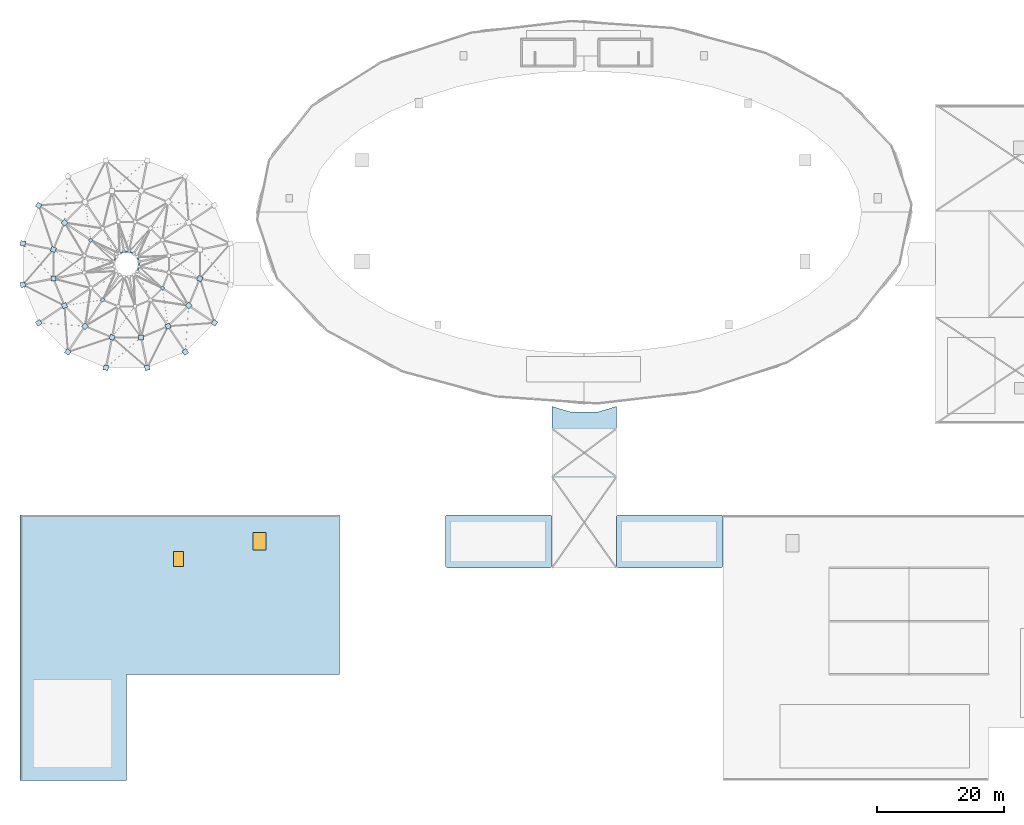
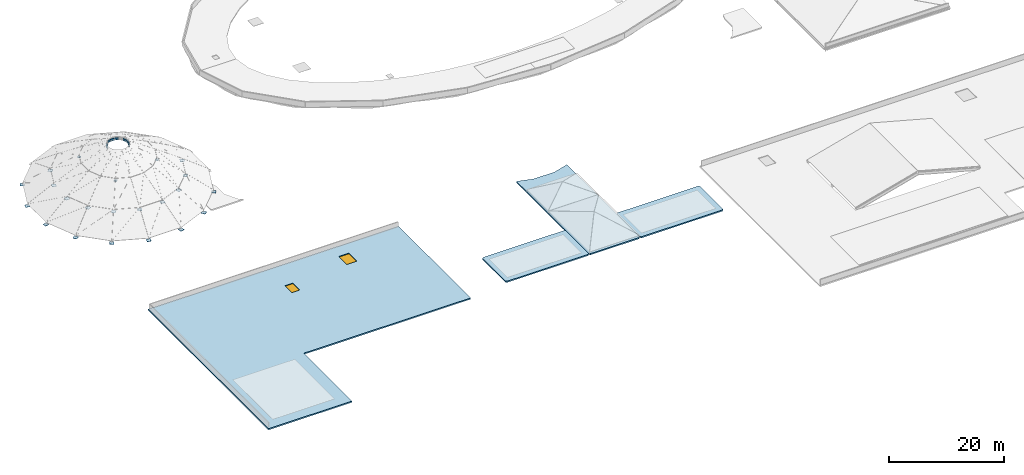
"""IFC4 building model written with IfcOpenShell, lengths in metres."""

from ifc_helpers import new_model, si_unit, direction, frame, origin, origin_2d, place, context, subcontext, project, spatial, polyline, rectangle, i_section, outline, extrude, material, layer, layer_set, material_profile, profile_set, type_object, element, fill, save


model = new_model("IFC4")

# Units and contexts
model_context = context("Model", 3, precision=1e-05, world=origin(), true_north=direction((0.0, 1.0)))
body_context = subcontext(model_context, "Body", "Model", "MODEL_VIEW")
ifc_project = project(units=[si_unit("LENGTHUNIT", "METRE"), si_unit("AREAUNIT", "SQUARE_METRE"), si_unit("VOLUMEUNIT", "CUBIC_METRE"), si_unit("PLANEANGLEUNIT", "RADIAN"), si_unit("MASSUNIT", "GRAM", prefix="KILO"), si_unit("THERMODYNAMICTEMPERATUREUNIT", "KELVIN"), si_unit("POWERUNIT", "WATT")], contexts=[model_context])

# Site, building, storey
site_placement = place(None, origin())
site = spatial("IfcSite", under=ifc_project, at=site_placement, CompositionType="ELEMENT")
building_placement = place(site_placement, origin())
building = spatial("IfcBuilding", under=site, at=building_placement, Name="Darbajah Civic Hall", CompositionType="ELEMENT")
storey_1_placement = place(building_placement, frame((0.0, 0.0, 30.60009765625)))
storey_1 = spatial("IfcBuildingStorey", under=building, at=storey_1_placement, Name="ROOF", CompositionType="ELEMENT", Elevation=30.60009765625)

# Beams
ifc_material_1 = material(Name="Steel S355JR", Category="steel")
ifc_material_profile = material_profile(ifc_material_1, i_section(OverallWidth=0.1904296875, OverallDepth=0.45703125, WebThickness=0.009033203125, FlangeThickness=0.014404296875, FilletRadius=0.01025390625, at=origin_2d()), Name="UB 457x191x74")
ifc_profile_set = profile_set([ifc_material_profile], Name="Steel S355JR")
beam_type = type_object("IfcBeamType", Name="UB 457x191x74", PredefinedType="BEAM", material=ifc_profile_set)
for number, where, z_axis, x_axis, name in (
    (1, (18.75390625, 82.0087890625, -3.400146484375), (-0.382623691485, 0.923904275731, 0.0), (-0.923904275731, -0.382623691485, 0.0), "Dome Crown Compression Ring segment 1"),
    (2, (17.892578125, 83.2705078125, -3.400146484375), (-0.92378764376, 0.382905196146, 0.0), (-0.382905196146, -0.92378764376, 0.0), "Dome Crown Compression Ring segment 3"),
):
    element("IfcBeam", number, at=place(storey_1_placement, frame(where, z_axis=z_axis, x_axis=x_axis)), inside=storey_1, type_object=beam_type, Name=name, PredefinedType="BEAM", context=body_context, shape_type="SweptSolid", body=[
        extrude(i_section(OverallWidth=0.1904296875, OverallDepth=0.45703125, WebThickness=0.009033203125, FlangeThickness=0.014404296875, FilletRadius=0.01025390625, at=origin_2d()), origin(), (0.0, 0.0, 1.0), 0.740234375),
    ])
beam_placement = place(storey_1_placement, frame((17.170166015625, 83.5615234375, -3.400146484375), z_axis=(-1.0, 0.0, 0.0), x_axis=(0.0, -1.0, 0.0)))
element("IfcBeam", 3, at=beam_placement, inside=storey_1, type_object=beam_type, Name="Dome Crown Compression Ring segment 4", PredefinedType="BEAM", context=body_context, shape_type="SweptSolid", body=[
    extrude(i_section(OverallWidth=0.1904296875, OverallDepth=0.45703125, WebThickness=0.009033203125, FlangeThickness=0.014404296875, FilletRadius=0.01025390625, at=origin_2d()), origin(), (0.0, 0.0, 1.0), 0.740478515625),
])
for number, where, z_axis, x_axis, name in (
    (4, (16.391357421875, 83.553955078125, -3.400146484375), (-0.92378764376, -0.382905196146, 0.0), (0.382905196146, -0.92378764376, 0.0), "Dome Crown Compression Ring segment 5"),
    (5, (15.12939453125, 82.692626953125, -3.400146484375), (-0.382623691485, -0.923904275731, 0.0), (0.923904275731, -0.382623691485, 0.0), "Dome Crown Compression Ring segment 7"),
):
    element("IfcBeam", number, at=place(storey_1_placement, frame(where, z_axis=z_axis, x_axis=x_axis)), inside=storey_1, type_object=beam_type, Name=name, PredefinedType="BEAM", context=body_context, shape_type="SweptSolid", body=[
        extrude(i_section(OverallWidth=0.1904296875, OverallDepth=0.45703125, WebThickness=0.009033203125, FlangeThickness=0.014404296875, FilletRadius=0.01025390625, at=origin_2d()), origin(), (0.0, 0.0, 1.0), 0.740234375),
    ])
for number, where, z_axis, x_axis, name in (
    (6, (18.470703125, 80.50732421875, -3.400146484375), (0.382507120164, 0.923952543707, 0.0), (-0.923952543707, 0.382507120164, 0.0), "Dome Crown Compression Ring segment 15"),
    (7, (18.76171875, 81.229736328125, -3.400146484375), (0.0, 1.0, 0.0), (-1.0, 0.0, 0.0), "Dome Crown Compression Ring segment 16"),
):
    element("IfcBeam", number, at=place(storey_1_placement, frame(where, z_axis=z_axis, x_axis=x_axis)), inside=storey_1, type_object=beam_type, Name=name, PredefinedType="BEAM", context=body_context, shape_type="SweptSolid", body=[
        extrude(i_section(OverallWidth=0.1904296875, OverallDepth=0.45703125, WebThickness=0.009033203125, FlangeThickness=0.014404296875, FilletRadius=0.01025390625, at=origin_2d()), origin(), (0.0, 0.0, 1.0), 0.740478515625),
    ])

# Slab, openings
ifc_material_2 = material(Name="Concrete C45/55", Category="concrete")
ifc_layer_1 = layer(ifc_material_2, 0.280029296875, Name="Concrete C45/55")
ifc_layer_set_1 = layer_set([ifc_layer_1], Name="Concrete C45/55")
slab_type_1 = type_object("IfcSlabType", Name="Cloister Wing Roof Slab 280mm", PredefinedType="ROOF", material=ifc_layer_set_1)
slab_1_placement = place(storey_1_placement, frame((0.0, 0.0, -8.68017578125)))
slab_1 = element("IfcSlab", 8, at=slab_1_placement, inside=storey_1, type_object=slab_type_1, Name="Committee Cloister main roof slab", PredefinedType="ROOF", context=body_context, shape_type="SweptSolid", body=[
    extrude(outline(polyline([(0.0, 0.0), (16.800048828125, 0.0), (16.800048828125, 16.800048828125), (50.39990234375, 16.800048828125), (50.39990234375, 42.0), (0.0, 42.0), (0.0, 0.0)])), origin(), (0.0, 0.0, 1.0), 0.280029296875),
])
opening_1_placement = place(slab_1_placement, frame((25.0, 35.0, 0.0)))
opening_1 = element("IfcOpeningElement", 9, at=opening_1_placement, cuts=slab_1, Name="Opening SK-04", PredefinedType="OPENING", context=body_context, shape_type="SweptSolid", body=[
    extrude(rectangle(XDim=1.60009765625, YDim=2.39990234375, at=origin_2d()), frame((0.0, 0.0, -0.010009765625)), (0.0, 0.0, 1.0), 0.300048828125),
])
opening_2_placement = place(slab_1_placement, frame((37.800048828125, 37.800048828125, 0.0)))
opening_2 = element("IfcOpeningElement", 10, at=opening_2_placement, cuts=slab_1, Name="Opening SK-05", PredefinedType="OPENING", context=body_context, shape_type="SweptSolid", body=[
    extrude(rectangle(XDim=2.0, YDim=2.800048828125, at=origin_2d()), frame((0.0, 0.0, -0.010009765625)), (0.0, 0.0, 1.0), 0.300048828125),
])

# Storey
storey_2_placement = place(building_placement, frame((0.0, 0.0, 18.0)))
storey_2 = spatial("IfcBuildingStorey", under=building, at=storey_2_placement, Name="L04", CompositionType="ELEMENT", Elevation=18.0)

# Window
ifc_material_3 = material(Name="Low-E Laminated Solar Skylight Glazing", Category="glass")
window_type_1 = type_object("IfcWindowType", Name="Roof Skylight 1600x2400", PartitioningType="SINGLE_PANEL", PredefinedType="SKYLIGHT", material=ifc_material_3)
window_1_placement = place(opening_1_placement, frame((0.0, 0.0, 0.114990234375)))
window_1 = element("IfcWindow", 11, at=window_1_placement, inside=storey_2, type_object=window_type_1, Name="L04 clerestory skylight SK-04", OverallHeight=2.39990234375, OverallWidth=1.60009765625, PartitioningType="SINGLE_PANEL", PredefinedType="SKYLIGHT", context=body_context, shape_type="SweptSolid", body=[
    extrude(rectangle(XDim=1.60009765625, YDim=2.39990234375, at=origin_2d()), origin(), (0.0, 0.0, 1.0), 0.050048828125),
])

fill(opening_1, window_1)

window_type_2 = type_object("IfcWindowType", Name="Roof Skylight 2000x2800", PartitioningType="SINGLE_PANEL", PredefinedType="SKYLIGHT", material=ifc_material_3)
window_2_placement = place(opening_2_placement, frame((0.0, 0.0, 0.114990234375)))
window_2 = element("IfcWindow", 12, at=window_2_placement, inside=storey_2, type_object=window_type_2, Name="L04 clerestory skylight SK-05", OverallHeight=2.800048828125, OverallWidth=2.0, PartitioningType="SINGLE_PANEL", PredefinedType="SKYLIGHT", context=body_context, shape_type="SweptSolid", body=[
    extrude(rectangle(XDim=2.0, YDim=2.800048828125, at=origin_2d()), origin(), (0.0, 0.0, 1.0), 0.050048828125),
])

fill(opening_2, window_2)

# Slabs
ifc_layer_2 = layer(ifc_material_2, 0.27001953125, Name="Concrete C45/55")
ifc_layer_set_2 = layer_set([ifc_layer_2], Name="Concrete C45/55")
slab_type_2 = type_object("IfcSlabType", Name="Link Walk Roof Slab 270mm", PredefinedType="ROOF", material=ifc_layer_set_2)
slab_2_placement = place(storey_1_placement, frame((0.0, 0.0, -21.27001953125)))
element("IfcSlab", 13, at=slab_2_placement, inside=storey_1, type_object=slab_type_2, Name="ROOF Screened Link Walk P roof slab", PredefinedType="ROOF", context=body_context, shape_type="SweptSolid", body=[
    extrude(outline(polyline([(94.199951171875, 33.85009765625), (93.949951171875, 33.60009765625), (84.25, 33.60009765625), (84.0, 33.85009765625), (84.0, 59.10400390625), (86.947509765625, 58.239013671875), (86.973388671875, 58.23291015625), (86.999755859375, 58.22900390625), (87.0263671875, 58.227783203125), (91.173583984375, 58.227783203125), (91.2001953125, 58.22900390625), (91.2265625, 58.23291015625), (91.25244140625, 58.239013671875), (94.199951171875, 59.10400390625), (94.199951171875, 33.85009765625)])), origin(), (0.0, 0.0, 1.0), 0.27001953125),
])
slab_3_placement = place(storey_1_placement, frame((0.0, 0.0, -21.27001953125)))
element("IfcSlab", 14, at=slab_3_placement, inside=storey_1, type_object=slab_type_2, Name="ROOF Screened Link Walk SW roof slab", PredefinedType="ROOF", context=body_context, shape_type="SweptSolid", body=[
    extrude(outline(polyline([(67.199951171875, 33.85009765625), (67.199951171875, 41.75), (67.449951171875, 42.0), (83.75, 42.0), (84.0, 41.75), (84.0, 33.85009765625), (83.75, 33.60009765625), (67.449951171875, 33.60009765625), (67.199951171875, 33.85009765625)])), origin(), (0.0, 0.0, 1.0), 0.27001953125),
])
slab_4_placement = place(storey_1_placement, frame((0.0, 0.0, -21.27001953125)))
element("IfcSlab", 15, at=slab_4_placement, inside=storey_1, type_object=slab_type_2, Name="ROOF Screened Link Walk SE roof slab", PredefinedType="ROOF", context=body_context, shape_type="SweptSolid", body=[
    extrude(outline(polyline([(94.199951171875, 33.85009765625), (94.199951171875, 41.75), (94.449951171875, 42.0), (110.75, 42.0), (111.0, 41.75), (111.0, 33.85009765625), (110.75, 33.60009765625), (94.449951171875, 33.60009765625), (94.199951171875, 33.85009765625)])), origin(), (0.0, 0.0, 1.0), 0.27001953125),
])

# Plates
ifc_layer_3 = layer(ifc_material_1, 0.02490234375, Name="Steel S355JR")
ifc_layer_set_3 = layer_set([ifc_layer_3], Name="Steel S355JR")
plate_type_1 = type_object("IfcPlateType", Name="Steel Gusset Plate 520x520x25", PredefinedType="SHEET", material=ifc_layer_set_3)
for number, where, z_axis, x_axis, name in (
    (16, (11.14599609375, 85.3779296875, -6.192626953125), (0.0, 0.0, 1.0), (-0.707106781187, 0.707106781187, 0.0), "Dome structural gusset plate DN2-4"),
    (17, (13.022216796875, 75.946044921875, -6.192626953125), (0.0, 0.0, 1.0), (-0.707106781187, -0.707106781187, 0.0), "Dome structural gusset plate DN2-6"),
    (18, (22.4541015625, 77.822021484375, -6.192626953125), (0.0, 0.0, 1.0), (0.707106781187, -0.707106781187, 0.0), "Dome structural gusset plate DN2-8"),
):
    element("IfcPlate", number, at=place(storey_1_placement, frame(where, z_axis=z_axis, x_axis=x_axis)), inside=storey_1, type_object=plate_type_1, Name=name, PredefinedType="SHEET", context=body_context, shape_type="SweptSolid", body=[
        extrude(rectangle(XDim=0.52001953125, YDim=0.52001953125, at=origin_2d()), origin(), (0.0, 0.0, 1.0), 0.02490234375),
    ])
ifc_layer_4 = layer(ifc_material_1, 0.0400390625, Name="Steel S355JR")
ifc_layer_set_4 = layer_set([ifc_layer_4], Name="Steel S355JR")
plate_type_2 = type_object("IfcPlateType", Name="Steel Gusset Plate 780x780x40", PredefinedType="SHEET", material=ifc_layer_set_4)
for number, where, z_axis, x_axis, name in (
    (19, (6.98876953125, 88.15576171875, -9.328125), (0.0, 0.0, 1.0), (-0.707106781187, 0.707106781187, 0.0), "Dome structural gusset plate DN1-4"),
    (20, (5.226806640625, 83.902099609375, -9.328125), (0.0, 0.0, 1.0), (-0.923879532511, 0.382683432365, 0.0), "Dome chevron brace node plate DO1-4"),
    (21, (5.226806640625, 79.2978515625, -9.328125), (0.0, 0.0, 1.0), (-1.0, 0.0, 0.0), "Dome structural gusset plate DN1-5"),
    (22, (6.98876953125, 75.044189453125, -9.328125), (0.0, 0.0, 1.0), (-0.923879532511, -0.382683432365, 0.0), "Dome chevron brace node plate DO1-5"),
    (23, (10.244384765625, 71.788818359375, -9.328125), (0.0, 0.0, 1.0), (-0.707106781187, -0.707106781187, 0.0), "Dome structural gusset plate DN1-6"),
    (24, (14.497802734375, 70.026611328125, -9.328125), (0.0, 0.0, 1.0), (-0.382683432365, -0.923879532511, 0.0), "Dome chevron brace node plate DO1-6"),
    (25, (19.10205078125, 70.026611328125, -9.328125), (0.0, 0.0, 1.0), (0.0, -1.0, 0.0), "Dome structural gusset plate DN1-7"),
    (26, (23.355712890625, 71.788818359375, -9.328125), (0.0, 0.0, 1.0), (0.382683432365, -0.923879532511, 0.0), "Dome chevron brace node plate DO1-7"),
    (27, (26.611328125, 75.044189453125, -9.328125), (0.0, 0.0, 1.0), (0.707106781187, -0.707106781187, 0.0), "Dome structural gusset plate DN1-8"),
    (28, (28.373291015625, 79.2978515625, -9.328125), (0.0, 0.0, 1.0), (0.923879532511, -0.382683432365, 0.0), "Dome chevron brace node plate DO1-8"),
    (29, (2.913818359375, 90.87841796875, -12.60009765625), (0.0, 0.0, 1.0), (-0.831469612303, 0.55557023302, 0.0), "Dome ring-beam base gusset plate DB-7"),
    (30, (0.419921875, 84.858154296875, -12.60009765625), (0.0, 0.0, 1.0), (-0.980785280403, 0.195090322016, 0.0), "Dome ring-beam base gusset plate DB-8"),
    (31, (0.419921875, 78.341796875, -12.60009765625), (0.0, 0.0, 1.0), (-0.980785280403, -0.195090322016, 0.0), "Dome ring-beam base gusset plate DB-9"),
    (32, (2.913818359375, 72.321533203125, -12.60009765625), (0.0, 0.0, 1.0), (-0.831469612303, -0.55557023302, 0.0), "Dome ring-beam base gusset plate DB-10"),
    (33, (7.521484375, 67.713623046875, -12.60009765625), (0.0, 0.0, 1.0), (-0.55557023302, -0.831469612303, 0.0), "Dome ring-beam base gusset plate DB-11"),
    (34, (13.541748046875, 65.219970703125, -12.60009765625), (0.0, 0.0, 1.0), (-0.195090322016, -0.980785280403, 0.0), "Dome ring-beam base gusset plate DB-12"),
    (35, (20.05810546875, 65.219970703125, -12.60009765625), (0.0, 0.0, 1.0), (0.195090322016, -0.980785280403, 0.0), "Dome ring-beam base gusset plate DB-13"),
    (36, (26.07861328125, 67.713623046875, -12.60009765625), (0.0, 0.0, 1.0), (0.55557023302, -0.831469612303, 0.0), "Dome ring-beam base gusset plate DB-14"),
    (37, (30.686279296875, 72.321533203125, -12.60009765625), (0.0, 0.0, 1.0), (0.831469612303, -0.55557023302, 0.0), "Dome ring-beam base gusset plate DB-15"),
):
    element("IfcPlate", number, at=place(storey_1_placement, frame(where, z_axis=z_axis, x_axis=x_axis)), inside=storey_1, type_object=plate_type_2, Name=name, PredefinedType="SHEET", context=body_context, shape_type="SweptSolid", body=[
        extrude(rectangle(XDim=0.780029296875, YDim=0.780029296875, at=origin_2d()), origin(), (0.0, 0.0, 1.0), 0.0400390625),
    ])

save(model, "model.ifc")
